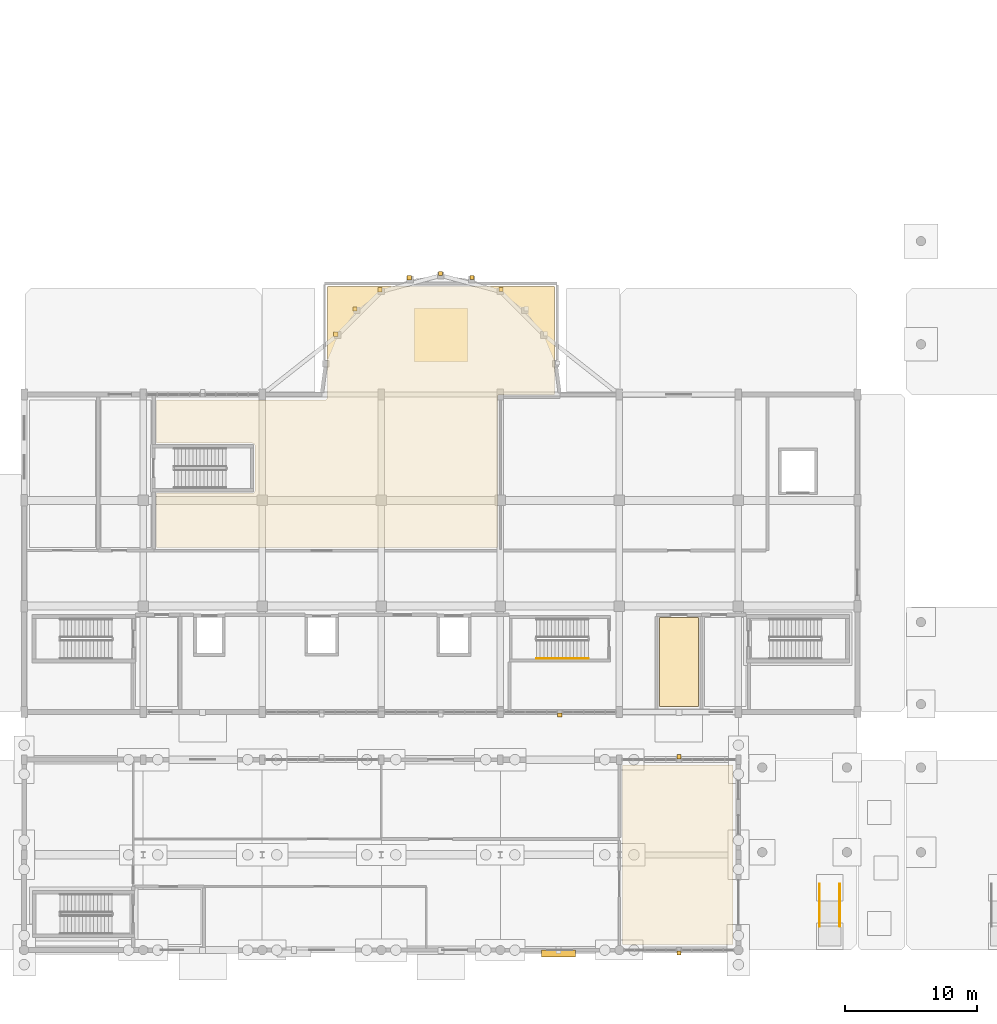
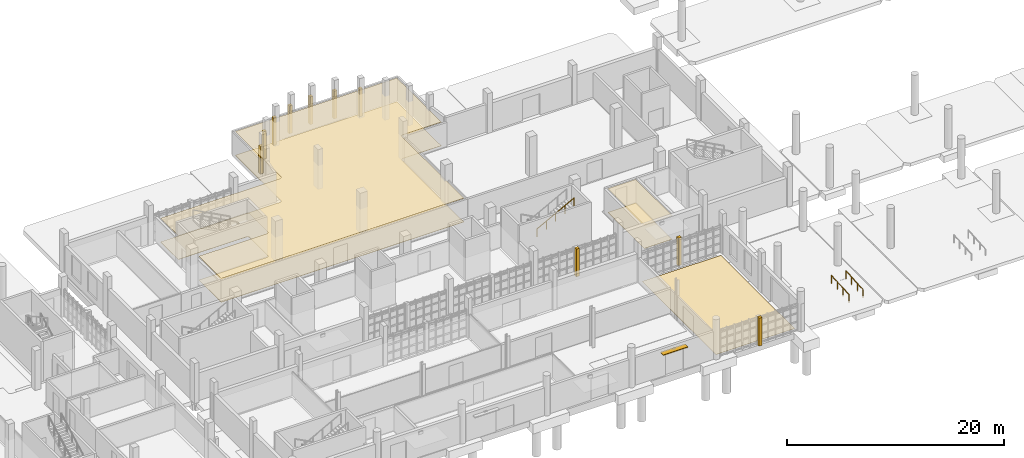
# One storey, part 59 of 63: 15 coverings, 3 railings, 1 shading device.
"""IFC4 building model written with IfcOpenShell, lengths in metres."""

from ifc_helpers import new_model, si_unit, direction, frame, origin, origin_2d, place, context, subcontext, project, spatial, polyline, rectangle, circle, outline, extrude, material, layer, layer_set, type_object, element, save


model = new_model("IFC4")

# Units and contexts
model_context = context("Model", 3, precision=1e-05, world=origin(), true_north=direction((0.0, 1.0)))
body_context = subcontext(model_context, "Body", "Model", "MODEL_VIEW")
ifc_project = project(units=[si_unit("LENGTHUNIT", "METRE"), si_unit("AREAUNIT", "SQUARE_METRE"), si_unit("VOLUMEUNIT", "CUBIC_METRE"), si_unit("PLANEANGLEUNIT", "RADIAN"), si_unit("MASSUNIT", "GRAM", prefix="KILO")], contexts=[model_context])

# Site, building, storey
site_placement = place(None, origin())
site = spatial("IfcSite", under=ifc_project, at=site_placement, CompositionType="ELEMENT")
building_placement = place(site_placement, origin())
building = spatial("IfcBuilding", under=site, at=building_placement, Name="Serraforn Aerial Cableway Station", CompositionType="ELEMENT")
storey_placement = place(building_placement, origin())
storey = spatial("IfcBuildingStorey", under=building, at=storey_placement, Name="L00", CompositionType="ELEMENT", Elevation=0.0)

# Coverings
ifc_material_1 = material(Name="Fluted patinated bronze Art Deco pilaster cladding")
ifc_layer_1 = layer(ifc_material_1, 0.034912109375)
ifc_layer_set_1 = layer_set([ifc_layer_1], Name="Fluted patinated bronze Art Deco pilaster cladding")
covering_type_1 = type_object("IfcCoveringType", Name="COV-CLAD-BRZ", PredefinedType="CLADDING", material=ifc_layer_set_1)
covering_1_placement = place(storey_placement, origin())
element("IfcCovering", 1, at=covering_1_placement, inside=storey, type_object=covering_type_1, Name="Art Deco Bronze Pilaster Cladding CF-L00-S6", PredefinedType="CLADDING", context=body_context, shape_type="SweptSolid", body=[
    extrude(outline(polyline([(76.93994140625, -0.3798828125), (77.260009765625, -0.3798828125), (77.260009765625, -0.06005859375), (76.93994140625, -0.06005859375), (76.93994140625, -0.3798828125)])), origin(), (0.0, 0.0, 1.0), 3.1201171875),
])
covering_2_placement = place(storey_placement, origin())
element("IfcCovering", 2, at=covering_2_placement, inside=storey, type_object=covering_type_1, Name="Art Deco Bronze Pilaster Cladding CF-L00-N6", PredefinedType="CLADDING", context=body_context, shape_type="SweptSolid", body=[
    extrude(outline(polyline([(76.93994140625, 14.4599609375), (77.260009765625, 14.4599609375), (77.260009765625, 14.780029296875), (76.93994140625, 14.780029296875), (76.93994140625, 14.4599609375)])), origin(), (0.0, 0.0, 1.0), 3.1201171875),
])
covering_3_placement = place(storey_placement, origin())
element("IfcCovering", 3, at=covering_3_placement, inside=storey, type_object=covering_type_1, Name="Art Deco Bronze Pilaster Cladding CV-L00-S5", PredefinedType="CLADDING", context=body_context, shape_type="SweptSolid", body=[
    extrude(outline(polyline([(67.93994140625, 17.6201171875), (68.260009765625, 17.6201171875), (68.260009765625, 17.93994140625), (67.93994140625, 17.93994140625), (67.93994140625, 17.6201171875)])), origin(), (0.0, 0.0, 1.0), 3.1201171875),
])
covering_4_placement = place(storey_placement, origin())
element("IfcCovering", 4, at=covering_4_placement, inside=storey, type_object=covering_type_1, Name="Art Deco Bronze Pilaster Cladding AP-L00-R2", PredefinedType="CLADDING", context=body_context, shape_type="SweptSolid", body=[
    extrude(outline(polyline([(51.002685546875, 46.3994140625), (51.322509765625, 46.3994140625), (51.322509765625, 46.71923828125), (51.002685546875, 46.71923828125), (51.002685546875, 46.3994140625)])), origin(), (0.0, 0.0, 1.0), 3.1201171875),
])
covering_5_placement = place(storey_placement, origin())
element("IfcCovering", 5, at=covering_5_placement, inside=storey, type_object=covering_type_1, Name="Art Deco Bronze Pilaster Cladding AP-L00-R3", PredefinedType="CLADDING", context=body_context, shape_type="SweptSolid", body=[
    extrude(outline(polyline([(52.452880859375, 48.29833984375), (52.77294921875, 48.29833984375), (52.77294921875, 48.618408203125), (52.452880859375, 48.618408203125), (52.452880859375, 48.29833984375)])), origin(), (0.0, 0.0, 1.0), 3.1201171875),
])
covering_6_placement = place(storey_placement, origin())
element("IfcCovering", 6, at=covering_6_placement, inside=storey, type_object=covering_type_1, Name="Art Deco Bronze Pilaster Cladding AP-L00-R4", PredefinedType="CLADDING", context=body_context, shape_type="SweptSolid", body=[
    extrude(outline(polyline([(54.345703125, 49.757080078125), (54.66552734375, 49.757080078125), (54.66552734375, 50.0771484375), (54.345703125, 50.0771484375), (54.345703125, 49.757080078125)])), origin(), (0.0, 0.0, 1.0), 3.1201171875),
])
covering_7_placement = place(storey_placement, origin())
element("IfcCovering", 7, at=covering_7_placement, inside=storey, type_object=covering_type_1, Name="Art Deco Bronze Pilaster Cladding AP-L00-R5", PredefinedType="CLADDING", context=body_context, shape_type="SweptSolid", body=[
    extrude(outline(polyline([(56.55126953125, 50.676513671875), (56.871337890625, 50.676513671875), (56.871337890625, 50.99658203125), (56.55126953125, 50.99658203125), (56.55126953125, 50.676513671875)])), origin(), (0.0, 0.0, 1.0), 3.1201171875),
])
covering_8_placement = place(storey_placement, origin())
element("IfcCovering", 8, at=covering_8_placement, inside=storey, type_object=covering_type_1, Name="Art Deco Bronze Pilaster Cladding AP-L00-R6", PredefinedType="CLADDING", context=body_context, shape_type="SweptSolid", body=[
    extrude(outline(polyline([(58.919921875, 50.99365234375), (59.23974609375, 50.99365234375), (59.23974609375, 51.313720703125), (58.919921875, 51.313720703125), (58.919921875, 50.99365234375)])), origin(), (0.0, 0.0, 1.0), 3.1201171875),
])
covering_9_placement = place(storey_placement, origin())
element("IfcCovering", 9, at=covering_9_placement, inside=storey, type_object=covering_type_1, Name="Art Deco Bronze Pilaster Cladding AP-L00-R7", PredefinedType="CLADDING", context=body_context, shape_type="SweptSolid", body=[
    extrude(outline(polyline([(61.28955078125, 50.68701171875), (61.609619140625, 50.68701171875), (61.609619140625, 51.007080078125), (61.28955078125, 51.007080078125), (61.28955078125, 50.68701171875)])), origin(), (0.0, 0.0, 1.0), 3.1201171875),
])
covering_10_placement = place(storey_placement, origin())
element("IfcCovering", 10, at=covering_10_placement, inside=storey, type_object=covering_type_1, Name="Art Deco Bronze Pilaster Cladding AP-L00-R8", PredefinedType="CLADDING", context=body_context, shape_type="SweptSolid", body=[
    extrude(outline(polyline([(63.499267578125, 49.77734375), (63.8193359375, 49.77734375), (63.8193359375, 50.097412109375), (63.499267578125, 50.097412109375), (63.499267578125, 49.77734375)])), origin(), (0.0, 0.0, 1.0), 3.1201171875),
])
ifc_material_2 = material(Name="Fire-protective gypsum board ceiling")
ifc_layer_2 = layer(ifc_material_2, 0.02001953125)
ifc_layer_set_2 = layer_set([ifc_layer_2], Name="Fire-protective gypsum board ceiling")
covering_type_2 = type_object("IfcCoveringType", Name="COV-CLG-GYP", PredefinedType="CEILING", material=ifc_layer_set_2)
covering_11_placement = place(storey_placement, frame((0.0, 0.0, 2.659912109375)))
element("IfcCovering", 11, at=covering_11_placement, inside=storey, type_object=covering_type_2, Name="Suspended Ceiling L00-20", PredefinedType="CEILING", context=body_context, shape_type="SweptSolid", body=[
    extrude(outline(polyline([(75.6201171875, 18.419921875), (75.6201171875, 25.1298828125), (78.580078125, 25.1298828125), (78.580078125, 18.419921875), (75.6201171875, 18.419921875)])), origin(), (0.0, 0.0, 1.0), 0.02001953125),
])
ifc_material_3 = material(Name="Slatted Catalan chestnut acoustic ceiling")
ifc_layer_3 = layer(ifc_material_3, 0.034912109375)
ifc_layer_set_3 = layer_set([ifc_layer_3], Name="Slatted Catalan chestnut acoustic ceiling")
covering_type_3 = type_object("IfcCoveringType", Name="COV-CLG-WD", PredefinedType="CEILING", material=ifc_layer_set_3)
covering_12_placement = place(storey_placement, frame((0.0, 0.0, 2.659912109375)))
element("IfcCovering", 12, at=covering_12_placement, inside=storey, type_object=covering_type_3, Name="Suspended Ceiling L00-12", PredefinedType="CEILING", context=body_context, shape_type="SweptSolid", body=[
    extrude(outline(polyline([(37.6201171875, 30.419921875), (37.6201171875, 34.5400390625), (44.840087890625, 34.5400390625), (44.861572265625, 34.541015625), (44.8828125, 34.544189453125), (44.90380859375, 34.549560546875), (44.92431640625, 34.556640625), (44.943603515625, 34.56591796875), (44.962158203125, 34.5771484375), (44.9794921875, 34.58984375), (44.99560546875, 34.6044921875), (45.010009765625, 34.620361328125), (45.02294921875, 34.6376953125), (45.033935546875, 34.65625), (45.043212890625, 34.67578125), (45.050537109375, 34.696044921875), (45.055908203125, 34.717041015625), (45.058837890625, 34.73828125), (45.06005859375, 34.760009765625), (45.06005859375, 38.10009765625), (45.058837890625, 38.12158203125), (45.055908203125, 38.142822265625), (45.050537109375, 38.163818359375), (45.043212890625, 38.18408203125), (45.033935546875, 38.20361328125), (45.02294921875, 38.22216796875), (45.010009765625, 38.239501953125), (44.99560546875, 38.255615234375), (44.9794921875, 38.27001953125), (44.962158203125, 38.282958984375), (44.943603515625, 38.2939453125), (44.92431640625, 38.30322265625), (44.90380859375, 38.310546875), (44.8828125, 38.31591796875), (44.861572265625, 38.31884765625), (44.840087890625, 38.320068359375), (37.6201171875, 38.320068359375), (37.6201171875, 41.580078125), (50.300048828125, 41.580078125), (50.321533203125, 41.5810546875), (50.343017578125, 41.584228515625), (50.364013671875, 41.589599609375), (50.38427734375, 41.5966796875), (50.40380859375, 41.60595703125), (50.422119140625, 41.6171875), (50.439697265625, 41.6298828125), (50.45556640625, 41.644287109375), (50.47021484375, 41.660400390625), (50.48291015625, 41.677734375), (50.493896484375, 41.6962890625), (50.50341796875, 41.7158203125), (50.510498046875, 41.736083984375), (50.515869140625, 41.757080078125), (50.518798828125, 41.7783203125), (50.52001953125, 41.800048828125), (50.52001953125, 50.179931640625), (67.679931640625, 50.179931640625), (67.679931640625, 42.02001953125), (63.60009765625, 42.02001953125), (63.578369140625, 42.018798828125), (63.55712890625, 42.015869140625), (63.5361328125, 42.010498046875), (63.515869140625, 42.00341796875), (63.496337890625, 41.993896484375), (63.477783203125, 41.98291015625), (63.46044921875, 41.97021484375), (63.4443359375, 41.95556640625), (63.429931640625, 41.939697265625), (63.4169921875, 41.922119140625), (63.406005859375, 41.90380859375), (63.396728515625, 41.88427734375), (63.389404296875, 41.864013671875), (63.38427734375, 41.843017578125), (63.381103515625, 41.821533203125), (63.3798828125, 41.800048828125), (63.3798828125, 30.419921875), (37.6201171875, 30.419921875)])), origin(), (0.0, 0.0, 1.0), 0.03515625),
])
ifc_material_4 = material(Name="Heavy-duty non-slip quartz epoxy floor")
ifc_layer_4 = layer(ifc_material_4, 0.014892578125)
ifc_layer_set_4 = layer_set([ifc_layer_4], Name="Heavy-duty non-slip quartz epoxy floor")
covering_type_4 = type_object("IfcCoveringType", Name="COV-FLR-EPOX", PredefinedType="FLOORING", material=ifc_layer_set_4)
covering_13_placement = place(storey_placement, origin())
element("IfcCovering", 13, at=covering_13_placement, inside=storey, type_object=covering_type_4, Name="Flooring L00-11", PredefinedType="FLOORING", context=body_context, shape_type="SweptSolid", body=[
    extrude(outline(polyline([(72.820068359375, 0.419921875), (72.820068359375, 13.97998046875), (81.179931640625, 13.97998046875), (81.179931640625, 0.419921875), (72.820068359375, 0.419921875)])), origin(), (0.0, 0.0, 1.0), 0.014892578125),
])
ifc_material_5 = material(Name="Honed Montjuic limestone flooring", Category="masonry")
ifc_layer_5 = layer(ifc_material_5, 0.030029296875)
ifc_layer_set_5 = layer_set([ifc_layer_5], Name="Honed Montjuic limestone flooring")
covering_type_5 = type_object("IfcCoveringType", Name="COV-FLR-STN", PredefinedType="FLOORING", material=ifc_layer_set_5)
covering_14_placement = place(storey_placement, origin())
element("IfcCovering", 14, at=covering_14_placement, inside=storey, type_object=covering_type_5, Name="Flooring L00-20", PredefinedType="FLOORING", context=body_context, shape_type="SweptSolid", body=[
    extrude(outline(polyline([(75.6201171875, 18.419921875), (75.6201171875, 25.1298828125), (78.580078125, 25.1298828125), (78.580078125, 18.419921875), (75.6201171875, 18.419921875)])), origin(), (0.0, 0.0, 1.0), 0.030029296875),
])
covering_15_placement = place(storey_placement, origin())
element("IfcCovering", 15, at=covering_15_placement, inside=storey, type_object=covering_type_5, Name="Flooring L00-12", PredefinedType="FLOORING", context=body_context, shape_type="SweptSolid", body=[
    extrude(outline(polyline([(37.6201171875, 30.419921875), (37.6201171875, 34.5400390625), (44.840087890625, 34.5400390625), (44.861572265625, 34.541015625), (44.8828125, 34.544189453125), (44.90380859375, 34.549560546875), (44.92431640625, 34.556640625), (44.943603515625, 34.56591796875), (44.962158203125, 34.5771484375), (44.9794921875, 34.58984375), (44.99560546875, 34.6044921875), (45.010009765625, 34.620361328125), (45.02294921875, 34.6376953125), (45.033935546875, 34.65625), (45.043212890625, 34.67578125), (45.050537109375, 34.696044921875), (45.055908203125, 34.717041015625), (45.058837890625, 34.73828125), (45.06005859375, 34.760009765625), (45.06005859375, 38.10009765625), (45.058837890625, 38.12158203125), (45.055908203125, 38.142822265625), (45.050537109375, 38.163818359375), (45.043212890625, 38.18408203125), (45.033935546875, 38.20361328125), (45.02294921875, 38.22216796875), (45.010009765625, 38.239501953125), (44.99560546875, 38.255615234375), (44.9794921875, 38.27001953125), (44.962158203125, 38.282958984375), (44.943603515625, 38.2939453125), (44.92431640625, 38.30322265625), (44.90380859375, 38.310546875), (44.8828125, 38.31591796875), (44.861572265625, 38.31884765625), (44.840087890625, 38.320068359375), (37.6201171875, 38.320068359375), (37.6201171875, 41.580078125), (50.300048828125, 41.580078125), (50.321533203125, 41.5810546875), (50.343017578125, 41.584228515625), (50.364013671875, 41.589599609375), (50.38427734375, 41.5966796875), (50.40380859375, 41.60595703125), (50.422119140625, 41.6171875), (50.439697265625, 41.6298828125), (50.45556640625, 41.644287109375), (50.47021484375, 41.660400390625), (50.48291015625, 41.677734375), (50.493896484375, 41.6962890625), (50.50341796875, 41.7158203125), (50.510498046875, 41.736083984375), (50.515869140625, 41.757080078125), (50.518798828125, 41.7783203125), (50.52001953125, 41.800048828125), (50.52001953125, 50.179931640625), (67.679931640625, 50.179931640625), (67.679931640625, 42.02001953125), (63.60009765625, 42.02001953125), (63.578369140625, 42.018798828125), (63.55712890625, 42.015869140625), (63.5361328125, 42.010498046875), (63.515869140625, 42.00341796875), (63.496337890625, 41.993896484375), (63.477783203125, 41.98291015625), (63.46044921875, 41.97021484375), (63.4443359375, 41.95556640625), (63.429931640625, 41.939697265625), (63.4169921875, 41.922119140625), (63.406005859375, 41.90380859375), (63.396728515625, 41.88427734375), (63.389404296875, 41.864013671875), (63.38427734375, 41.843017578125), (63.381103515625, 41.821533203125), (63.3798828125, 41.800048828125), (63.3798828125, 30.419921875), (37.6201171875, 30.419921875)])), origin(), (0.0, 0.0, 1.0), 0.030029296875),
])

# Railings
ifc_material_6 = material(Name="Brushed bronze tubular handrail")
ifc_layer_6 = layer(ifc_material_6, 0.050048828125)
ifc_layer_set_6 = layer_set([ifc_layer_6], Name="Brushed bronze tubular handrail")
railing_type_1 = type_object("IfcRailingType", Name="RL-RAMP-HD", PredefinedType="HANDRAIL", material=ifc_layer_set_6)
for number, where, name in (
    (16, (87.739990234375, 1.800048828125, -0.199951171875), "Ramp Handrail RMP-01-W"),
    (17, (89.260009765625, 1.800048828125, -0.199951171875), "Ramp Handrail RMP-01-E"),
):
    element("IfcRailing", number, at=place(storey_placement, frame(where)), inside=storey, type_object=railing_type_1, Name=name, PredefinedType="HANDRAIL", context=body_context, shape_type="SweptSolid", body=[
        extrude(circle(Radius=0.02392578125, at=origin_2d()), frame((0.0, 0.0, 0.89599609375), z_axis=(0.0, 0.998053467252, 0.062364064216), x_axis=(-1.0, 0.0, 0.0)), (0.0, 0.0, 1.0), 3.206298828125),
        extrude(circle(Radius=0.02099609375, at=origin_2d()), origin(), (0.0, 0.0, 1.0), 0.871826171875),
        extrude(circle(Radius=0.02099609375, at=origin_2d()), frame((0.0, 1.066650390625, 0.066650390625)), (0.0, 0.0, 1.0), 0.871826171875),
        extrude(circle(Radius=0.02099609375, at=origin_2d()), frame((0.0, 2.13330078125, 0.13330078125)), (0.0, 0.0, 1.0), 0.871826171875),
        extrude(circle(Radius=0.02099609375, at=origin_2d()), frame((0.0, 3.199951171875, 0.199951171875)), (0.0, 0.0, 1.0), 0.871826171875),
    ])
ifc_layer_7 = layer(ifc_material_6, 0.048095703125)
ifc_layer_set_7 = layer_set([ifc_layer_7], Name="Brushed bronze tubular handrail")
railing_type_2 = type_object("IfcRailingType", Name="RL-STR-HDR", PredefinedType="HANDRAIL", material=ifc_layer_set_7)
railing_placement = place(storey_placement, frame((66.330078125, 22.050048828125, 2.39990234375)))
element("IfcRailing", 18, at=railing_placement, inside=storey, type_object=railing_type_2, Name="L00 ST-05 stair handrail 2", PredefinedType="HANDRAIL", context=body_context, shape_type="SweptSolid", body=[
    extrude(circle(Radius=0.02392578125, at=origin_2d()), frame((0.0, 0.0, 0.8759765625), z_axis=(0.881466911329, 0.0, 0.472245787945), x_axis=(0.0, 1.0, 0.0)), (0.0, 0.0, 1.0), 4.447021484375),
    extrude(circle(Radius=0.02099609375, at=origin_2d()), origin(), (0.0, 0.0, 1.0), 0.851806640625),
    extrude(circle(Radius=0.02099609375, at=origin_2d()), frame((0.97998046875, 0.0, 0.52490234375)), (0.0, 0.0, 1.0), 0.851806640625),
    extrude(circle(Radius=0.02099609375, at=origin_2d()), frame((1.9599609375, 0.0, 1.050048828125)), (0.0, 0.0, 1.0), 0.851806640625),
    extrude(circle(Radius=0.02099609375, at=origin_2d()), frame((2.93994140625, 0.0, 1.5751953125)), (0.0, 0.0, 1.0), 0.851806640625),
    extrude(circle(Radius=0.02099609375, at=origin_2d()), frame((3.919921875, 0.0, 2.10009765625)), (0.0, 0.0, 1.0), 0.851806640625),
])

# Shading device
ifc_material_7 = material(Name="Anodised bronze solar brise-soleil louvre")
ifc_layer_8 = layer(ifc_material_7, 0.080078125)
ifc_layer_set_8 = layer_set([ifc_layer_8], Name="Anodised bronze solar brise-soleil louvre")
shading_device_type = type_object("IfcShadingDeviceType", Name="SHD-LOUVRE", PredefinedType="USERDEFINED", material=ifc_layer_set_8)
shading_device_placement = place(storey_placement, frame((68.0, -0.25, 2.60986328125), z_axis=(0.0, 0.0, 1.0), x_axis=(1.0, 0.0, 0.0)))
element("IfcShadingDevice", 19, at=shading_device_placement, inside=storey, type_object=shading_device_type, Name="Art Deco Bronze Brise-Soleil 03", ObjectType="SUNSHADE", PredefinedType="USERDEFINED", context=body_context, shape_type="SweptSolid", body=[
    extrude(rectangle(XDim=2.60009765625, YDim=0.550048828125, at=origin_2d()), origin(), (0.0, 0.0, 1.0), 0.080078125),
])

save(model, "model.ifc")
